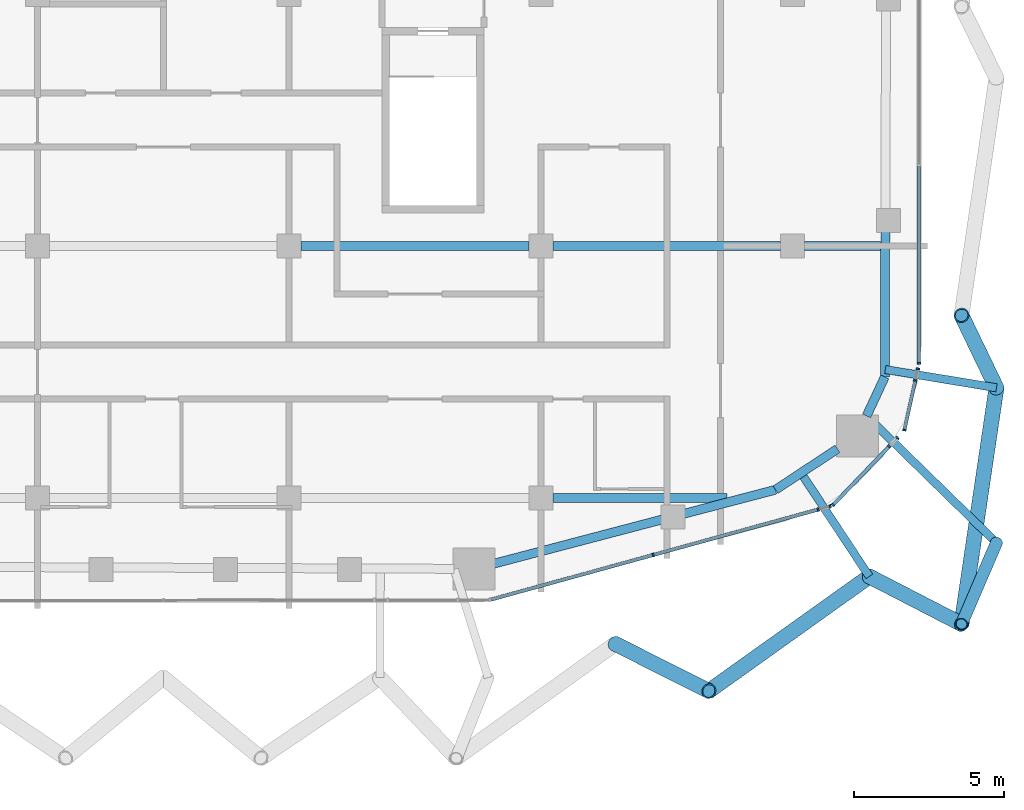
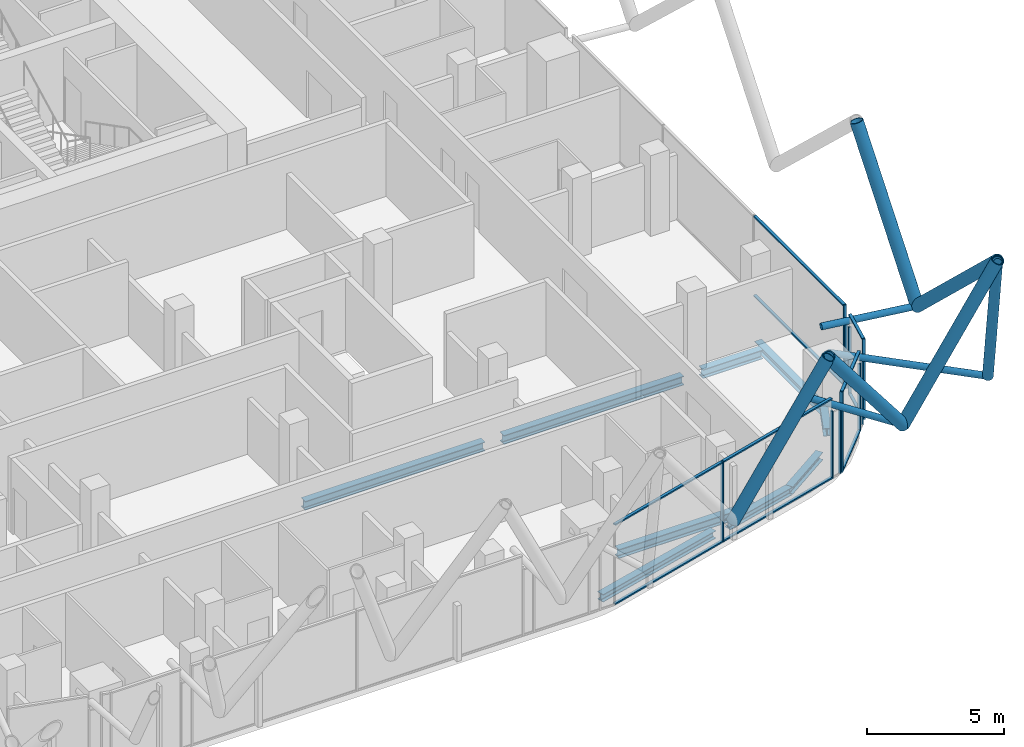
# One storey, part 6 of 33: 29 members, 9 beams, 7 elements without a shape of their own.
"""IFC4 building model written with IfcOpenShell, lengths in metres."""

from ifc_helpers import new_model, si_unit, direction, frame, origin, origin_2d, place, context, subcontext, project, spatial, rectangle, hollow_circle, i_section, extrude, material, layer, layer_set, material_profile, profile_set, type_object, element, aggregate, save


model = new_model("IFC4")

# Units and contexts
model_context = context("Model", 3, precision=1e-05, world=origin(), true_north=direction((0.0, 1.0)))
body_context = subcontext(model_context, "Body", "Model", "MODEL_VIEW")
ifc_project = project(units=[si_unit("LENGTHUNIT", "METRE"), si_unit("AREAUNIT", "SQUARE_METRE"), si_unit("VOLUMEUNIT", "CUBIC_METRE"), si_unit("PLANEANGLEUNIT", "RADIAN"), si_unit("MASSUNIT", "GRAM", prefix="KILO")], contexts=[model_context])

# Site, building, storey
site_placement = place(None, origin())
site = spatial("IfcSite", under=ifc_project, at=site_placement, CompositionType="ELEMENT")
building_placement = place(site_placement, origin())
building = spatial("IfcBuilding", under=site, at=building_placement, Name="Marenta Gate Hotel Tower", CompositionType="ELEMENT")
storey_placement = place(building_placement, frame((0.0, 0.0, 248.89990234375)))
storey = spatial("IfcBuildingStorey", under=building, at=storey_placement, Name="L59", CompositionType="ELEMENT", Elevation=248.89990234375)

# Members
ifc_material_1 = material(Name="Steel S355J2W", Category="steel")
ifc_material_profile_1 = material_profile(ifc_material_1, hollow_circle(Radius=0.203125, WallThickness=0.02490234375, at=origin_2d()), Name="CHS 406.4x25")
ifc_profile_set_1 = profile_set([ifc_material_profile_1], Name="Steel S355J2W")
member_type_1 = type_object("IfcMemberType", Name="Diagrid corner post Z3 CHS 406.4x25", PredefinedType="POST", material=ifc_profile_set_1)
member_1_placement = place(storey_placement, frame((27.800048828125, -26.7001953125, 3.14013671875), z_axis=(-0.149723164747, -0.348454624409, 0.925290413149), x_axis=(0.91877663219, -0.394777785775, 0.0)))
element("IfcMember", 1, at=member_1_placement, inside=storey, type_object=member_type_1, Name="L59-DR-2", PredefinedType="POST", context=body_context, shape_type="SweptSolid", body=[
    extrude(hollow_circle(Radius=0.203125, WallThickness=0.02490234375, at=origin_2d()), origin(), (0.0, 0.0, 1.0), 7.78125),
])
ifc_material_2 = material(Name="Steel S355J2W", Category="steel")
ifc_material_profile_2 = material_profile(ifc_material_2, hollow_circle(Radius=0.25390625, WallThickness=0.0400390625, at=origin_2d()), Name="CHS 508x40")
ifc_profile_set_2 = profile_set([ifc_material_profile_2], Name="Steel S355J2W")
member_type_2 = type_object("IfcMemberType", Name="Diagrid diagonal T3 CHS 508x40", PredefinedType="BRACE", material=ifc_profile_set_2)
member_2_placement = place(storey_placement, frame((27.800048828125, -21.530029296875, 3.14013671875), z_axis=(-0.151621202874, 0.314648946366, 0.937020304684), x_axis=(-0.900863347465, -0.434102786439, 0.0)))
element("IfcMember", 2, at=member_2_placement, inside=storey, type_object=member_type_2, Name="L59-DG-9", PredefinedType="BRACE", context=body_context, shape_type="SweptSolid", body=[
    extrude(hollow_circle(Radius=0.25390625, WallThickness=0.0400390625, at=origin_2d()), origin(), (0.0, 0.0, 1.0), 7.683837890625),
])
member_3_placement = place(storey_placement, frame((27.800048828125, -21.530029296875, 3.14013671875), z_axis=(-0.108491449079, -0.733954201721, 0.670478064707), x_axis=(0.98925079432, -0.146228813632, 0.0)))
element("IfcMember", 3, at=member_3_placement, inside=storey, type_object=member_type_2, Name="L59-DG-10", PredefinedType="BRACE", context=body_context, shape_type="SweptSolid", body=[
    extrude(hollow_circle(Radius=0.25390625, WallThickness=0.0400390625, at=origin_2d()), origin(), (0.0, 0.0, 1.0), 10.738525390625),
])
member_4_placement = place(storey_placement, frame((23.559814453125, -27.8251953125, 3.14013671875), z_axis=(0.384962623829, -0.198593770216, 0.901312538849), x_axis=(0.458466783996, 0.888711543738, 0.0)))
element("IfcMember", 4, at=member_4_placement, inside=storey, type_object=member_type_2, Name="L59-DG-11", PredefinedType="BRACE", context=body_context, shape_type="SweptSolid", body=[
    extrude(hollow_circle(Radius=0.25390625, WallThickness=0.0400390625, at=origin_2d()), origin(), (0.0, 0.0, 1.0), 7.98828125),
])
member_5_placement = place(storey_placement, frame((23.559814453125, -27.8251953125, 3.14013671875), z_axis=(-0.549050131293, -0.391956964026, 0.738182695326), x_axis=(0.581020559609, -0.813888880199, 0.0)))
element("IfcMember", 5, at=member_5_placement, inside=storey, type_object=member_type_2, Name="L59-DG-12", PredefinedType="BRACE", context=body_context, shape_type="SweptSolid", body=[
    extrude(hollow_circle(Radius=0.25390625, WallThickness=0.0400390625, at=origin_2d()), origin(), (0.0, 0.0, 1.0), 9.753662109375),
])
member_6_placement = place(storey_placement, frame((15.079345703125, -30.074951171875, 3.14013671875), z_axis=(0.390406899017, -0.196530119308, 0.899421127951), x_axis=(0.44964017183, 0.893209782681, 0.0)))
element("IfcMember", 6, at=member_6_placement, inside=storey, type_object=member_type_2, Name="L59-DG-13", PredefinedType="BRACE", context=body_context, shape_type="SweptSolid", body=[
    extrude(hollow_circle(Radius=0.25390625, WallThickness=0.0400390625, at=origin_2d()), origin(), (0.0, 0.0, 1.0), 8.005126953125),
])

# Beams
ifc_material_3 = material(Name="Steel S355", Category="steel")
ifc_material_profile_3 = material_profile(ifc_material_3, i_section(OverallWidth=0.300048828125, OverallDepth=0.340087890625, WebThickness=0.011962890625, FlangeThickness=0.021484375, FilletRadius=0.027099609375, at=origin_2d()), Name="HEB 340")
ifc_profile_set_3 = profile_set([ifc_material_profile_3], Name="Steel S355")
beam_type_1 = type_object("IfcBeamType", Name="Edge beam HEB 340", PredefinedType="SPANDREL", material=ifc_profile_set_3)
beam_1_placement = place(storey_placement, frame((24.09130859375, -16.31201171875, -0.429931640625), z_axis=(-0.003318732666, -0.999994492992, 0.0), x_axis=(0.999994492992, -0.003318732666, 0.0)))
element("IfcBeam", 7, at=beam_1_placement, inside=storey, type_object=beam_type_1, Name="L59-EB-27", PredefinedType="SPANDREL", context=body_context, shape_type="SweptSolid", body=[
    extrude(i_section(OverallWidth=0.300048828125, OverallDepth=0.340087890625, WebThickness=0.011962890625, FlangeThickness=0.021484375, FilletRadius=0.027099609375, at=origin_2d()), origin(), (0.0, 0.0, 1.0), 4.855224609375),
])
beam_2_placement = place(storey_placement, frame((24.0751953125, -21.167236328125, -0.429931640625), z_axis=(-0.423341112024, -0.905970365338, 0.0), x_axis=(0.905970365338, -0.423341112024, 0.0)))
element("IfcBeam", 8, at=beam_2_placement, inside=storey, type_object=beam_type_1, Name="L59-EB-28", PredefinedType="SPANDREL", context=body_context, shape_type="SweptSolid", body=[
    extrude(i_section(OverallWidth=0.300048828125, OverallDepth=0.340087890625, WebThickness=0.011962890625, FlangeThickness=0.021484375, FilletRadius=0.027099609375, at=origin_2d()), origin(), (0.0, 0.0, 1.0), 1.437255859375),
])
beam_3_placement = place(storey_placement, frame((22.496337890625, -23.56640625, -0.429931640625), z_axis=(-0.834528740585, -0.550964410047, 0.0), x_axis=(0.550964410047, -0.834528740585, 0.0)))
element("IfcBeam", 9, at=beam_3_placement, inside=storey, type_object=beam_type_1, Name="L59-EB-29", PredefinedType="SPANDREL", context=body_context, shape_type="SweptSolid", body=[
    extrude(i_section(OverallWidth=0.300048828125, OverallDepth=0.340087890625, WebThickness=0.011962890625, FlangeThickness=0.021484375, FilletRadius=0.027099609375, at=origin_2d()), origin(), (0.0, 0.0, 1.0), 2.47705078125),
])
beam_4_placement = place(storey_placement, frame((20.42919921875, -24.93115234375, -0.429931640625), z_axis=(-0.967235227858, -0.253881889845, 0.0), x_axis=(0.253881889845, -0.967235227858, 0.0)))
element("IfcBeam", 10, at=beam_4_placement, inside=storey, type_object=beam_type_1, Name="L59-EB-30", PredefinedType="SPANDREL", context=body_context, shape_type="SweptSolid", body=[
    extrude(i_section(OverallWidth=0.300048828125, OverallDepth=0.340087890625, WebThickness=0.011962890625, FlangeThickness=0.021484375, FilletRadius=0.027099609375, at=origin_2d()), origin(), (0.0, 0.0, 1.0), 3.164794921875),
])
beam_5_placement = place(storey_placement, frame((16.6455078125, -25.92431640625, -0.429931640625), z_axis=(-0.96723496524, -0.253882890359, 0.0), x_axis=(0.253882890359, -0.96723496524, 0.0)))
element("IfcBeam", 11, at=beam_5_placement, inside=storey, type_object=beam_type_1, Name="L59-EB-31", PredefinedType="SPANDREL", context=body_context, shape_type="SweptSolid", body=[
    extrude(i_section(OverallWidth=0.300048828125, OverallDepth=0.340087890625, WebThickness=0.011962890625, FlangeThickness=0.021484375, FilletRadius=0.027099609375, at=origin_2d()), origin(), (0.0, 0.0, 1.0), 5.80810546875),
])

# Members
ifc_material_4 = material(Name="Steel S355J2W", Category="steel")
ifc_material_profile_4 = material_profile(ifc_material_4, hollow_circle(Radius=0.136474609375, WallThickness=0.012451171875, at=origin_2d()), Name="CHS 273x12.5")
ifc_profile_set_4 = profile_set([ifc_material_profile_4], Name="Steel S355J2W")
member_type_3 = type_object("IfcMemberType", Name="Floor tie CHS 273x12.5", PredefinedType="STRUT", material=ifc_profile_set_4)
member_7_placement = place(storey_placement, frame((27.800048828125, -21.530029296875, 3.14013671875), z_axis=(-0.986728891627, 0.162376397385, 0.0), x_axis=(-0.162376397385, -0.986728891627, 0.0)))
element("IfcMember", 12, at=member_7_placement, inside=storey, type_object=member_type_3, Name="L59-DR-10", PredefinedType="STRUT", context=body_context, shape_type="SweptSolid", body=[
    extrude(hollow_circle(Radius=0.136474609375, WallThickness=0.012451171875, at=origin_2d()), origin(), (0.0, 0.0, 1.0), 3.7587890625),
])
member_8_placement = place(storey_placement, frame((27.800048828125, -26.7001953125, 3.14013671875), z_axis=(-0.715503492863, 0.698609155179, 0.0), x_axis=(-0.698609155179, -0.715503492863, 0.0)))
element("IfcMember", 13, at=member_8_placement, inside=storey, type_object=member_type_3, Name="L59-DR-11", PredefinedType="STRUT", context=body_context, shape_type="SweptSolid", body=[
    extrude(hollow_circle(Radius=0.136474609375, WallThickness=0.012451171875, at=origin_2d()), origin(), (0.0, 0.0, 1.0), 6.04052734375),
])
member_9_placement = place(storey_placement, frame((23.559814453125, -27.8251953125, 3.14013671875), z_axis=(-0.550965885132, 0.834527766716, 0.0), x_axis=(-0.834527766716, -0.550965885132, 0.0)))
element("IfcMember", 14, at=member_9_placement, inside=storey, type_object=member_type_3, Name="L59-DR-12", PredefinedType="STRUT", context=body_context, shape_type="SweptSolid", body=[
    extrude(hollow_circle(Radius=0.136474609375, WallThickness=0.012451171875, at=origin_2d()), origin(), (0.0, 0.0, 1.0), 4.125),
])

# Beams
ifc_material_5 = material(Name="Steel S355", Category="steel")
ifc_material_profile_5 = material_profile(ifc_material_5, i_section(OverallWidth=0.300048828125, OverallDepth=0.39990234375, WebThickness=0.013427734375, FlangeThickness=0.02392578125, FilletRadius=0.027099609375, at=origin_2d()), Name="HEB 400")
ifc_profile_set_5 = profile_set([ifc_material_profile_5], Name="Steel S355")
beam_type_2 = type_object("IfcBeamType", Name="Girder HEB 400", PredefinedType="BEAM", material=ifc_profile_set_5)
beam_6_placement = place(storey_placement, frame((13.0, -25.199951171875, -0.4599609375), z_axis=(1.0, 0.0, 0.0), x_axis=(0.0, 1.0, 0.0)))
element("IfcBeam", 15, at=beam_6_placement, inside=storey, type_object=beam_type_2, Name="L59-GD-5", PredefinedType="BEAM", context=body_context, shape_type="SweptSolid", body=[
    extrude(i_section(OverallWidth=0.300048828125, OverallDepth=0.39990234375, WebThickness=0.013427734375, FlangeThickness=0.02392578125, FilletRadius=0.027099609375, at=origin_2d()), origin(), (0.0, 0.0, 1.0), 5.81396484375),
])
beam_7_placement = place(storey_placement, frame((4.60009765625, -16.800048828125, -0.4599609375), z_axis=(1.0, 0.0, 0.0), x_axis=(0.0, 1.0, 0.0)))
element("IfcBeam", 16, at=beam_7_placement, inside=storey, type_object=beam_type_2, Name="L59-GD-10", PredefinedType="BEAM", context=body_context, shape_type="SweptSolid", body=[
    extrude(i_section(OverallWidth=0.300048828125, OverallDepth=0.39990234375, WebThickness=0.013427734375, FlangeThickness=0.02392578125, FilletRadius=0.027099609375, at=origin_2d()), origin(), (0.0, 0.0, 1.0), 7.599853515625),
])
beam_8_placement = place(storey_placement, frame((13.0, -16.800048828125, -0.4599609375), z_axis=(1.0, 0.0, 0.0), x_axis=(0.0, 1.0, 0.0)))
element("IfcBeam", 17, at=beam_8_placement, inside=storey, type_object=beam_type_2, Name="L59-GD-11", PredefinedType="BEAM", context=body_context, shape_type="SweptSolid", body=[
    extrude(i_section(OverallWidth=0.300048828125, OverallDepth=0.39990234375, WebThickness=0.013427734375, FlangeThickness=0.02392578125, FilletRadius=0.027099609375, at=origin_2d()), origin(), (0.0, 0.0, 1.0), 7.60009765625),
])
beam_9_placement = place(storey_placement, frame((21.39990234375, -16.800048828125, -0.4599609375), z_axis=(1.0, 0.0, 0.0), x_axis=(0.0, 1.0, 0.0)))
element("IfcBeam", 18, at=beam_9_placement, inside=storey, type_object=beam_type_2, Name="L59-GD-12", PredefinedType="BEAM", context=body_context, shape_type="SweptSolid", body=[
    extrude(i_section(OverallWidth=0.300048828125, OverallDepth=0.39990234375, WebThickness=0.013427734375, FlangeThickness=0.02392578125, FilletRadius=0.027099609375, at=origin_2d()), origin(), (0.0, 0.0, 1.0), 2.539794921875),
])

# Curtain wall, member
ifc_material_6 = material(Name="Tinted insulated glass in bronze anodised frame", Category="glass")
ifc_layer = layer(ifc_material_6, 0.1201171875)
ifc_layer_set = layer_set([ifc_layer], Name="Tinted insulated glass in bronze anodised frame")
curtain_wall_type = type_object("IfcCurtainWallType", Name="Tower unitised curtain wall CW1", PredefinedType="NOTDEFINED", material=ifc_layer_set)
curtain_wall_1_placement = place(storey_placement, origin())
curtain_wall_1 = element("IfcCurtainWall", 19, at=curtain_wall_1_placement, inside=storey, type_object=curtain_wall_type, Name="CW1 run G26", PredefinedType="NOTDEFINED")
ifc_material_7 = material(Name="Bronze anodised aluminium", Category="aluminium")
ifc_material_profile_6 = material_profile(ifc_material_7, rectangle(XDim=0.1201171875, YDim=0.06005859375, at=origin_2d()), Name="Mullion CW1 60x120 bronze anodised aluminium")
ifc_profile_set_6 = profile_set([ifc_material_profile_6], Name="Bronze anodised aluminium")
member_type_4 = type_object("IfcMemberType", Name="Mullion CW1 60x120 bronze anodised aluminium", PredefinedType="MULLION", material=ifc_profile_set_6)
member_10_placement = place(storey_placement, frame((16.3466796875, -27.106689453125, 0.0), z_axis=(0.0, 0.0, 1.0), x_axis=(-0.265291600671, 0.964168225266, 0.0)))
member_10 = element("IfcMember", 20, at=member_10_placement, type_object=member_type_4, Name="CW1 mullion 2", PredefinedType="MULLION", context=body_context, shape_type="SweptSolid", body=[
    extrude(rectangle(XDim=0.1201171875, YDim=0.06005859375, at=origin_2d()), origin(), (0.0, 0.0, 1.0), 3.60009765625),
])

# Curtain wall, members
curtain_wall_2_placement = place(storey_placement, origin())
curtain_wall_2 = element("IfcCurtainWall", 21, at=curtain_wall_2_placement, inside=storey, type_object=curtain_wall_type, Name="CW1 run G27", PredefinedType="NOTDEFINED")
member_11_placement = place(storey_placement, frame((21.8486328125, -25.5927734375, 0.0), z_axis=(0.0, 0.0, 1.0), x_axis=(-0.265283308776, 0.964170506749, 0.0)))
member_11 = element("IfcMember", 22, at=member_11_placement, type_object=member_type_4, Name="CW1 mullion 1", PredefinedType="MULLION", context=body_context, shape_type="SweptSolid", body=[
    extrude(rectangle(XDim=0.1201171875, YDim=0.06005859375, at=origin_2d()), origin(), (0.0, 0.0, 1.0), 3.00048828125),
])
member_12_placement = place(storey_placement, frame((22.250244140625, -25.482177734375, 0.0), z_axis=(0.0, 0.0, 1.0), x_axis=(-0.265283308776, 0.964170506749, 0.0)))
member_12 = element("IfcMember", 23, at=member_12_placement, type_object=member_type_4, Name="CW1 mullion 2", PredefinedType="MULLION", context=body_context, shape_type="SweptSolid", body=[
    extrude(rectangle(XDim=0.1201171875, YDim=0.06005859375, at=origin_2d()), origin(), (0.0, 0.0, 1.0), 3.00048828125),
])
aggregate(curtain_wall_2, [member_11, member_12])

# Curtain wall, member
curtain_wall_3_placement = place(storey_placement, origin())
curtain_wall_3 = element("IfcCurtainWall", 24, at=curtain_wall_3_placement, inside=storey, type_object=curtain_wall_type, Name="CW1 run G28", PredefinedType="NOTDEFINED")
member_13_placement = place(storey_placement, frame((22.345458984375, -25.43994140625, 0.0), z_axis=(0.0, 0.0, 1.0), x_axis=(-0.721374796599, 0.692544874237, 0.0)))
member_13 = element("IfcMember", 25, at=member_13_placement, type_object=member_type_4, Name="CW1 mullion 1", PredefinedType="MULLION", context=body_context, shape_type="SweptSolid", body=[
    extrude(rectangle(XDim=0.1201171875, YDim=0.06005859375, at=origin_2d()), origin(), (0.0, 0.0, 1.0), 3.60009765625),
])

# Curtain wall, members
curtain_wall_4_placement = place(storey_placement, origin())
curtain_wall_4 = element("IfcCurtainWall", 26, at=curtain_wall_4_placement, inside=storey, type_object=curtain_wall_type, Name="CW1 run G29", PredefinedType="NOTDEFINED")
member_14_placement = place(storey_placement, frame((24.22412109375, -23.4833984375, 0.0), z_axis=(0.0, 0.0, 1.0), x_axis=(-0.721307923804, 0.692614524145, 0.0)))
member_14 = element("IfcMember", 27, at=member_14_placement, type_object=member_type_4, Name="CW1 mullion 1", PredefinedType="MULLION", context=body_context, shape_type="SweptSolid", body=[
    extrude(rectangle(XDim=0.1201171875, YDim=0.06005859375, at=origin_2d()), origin(), (0.0, 0.0, 1.0), 3.00048828125),
])
member_15_placement = place(storey_placement, frame((24.496337890625, -23.199951171875, 0.0), z_axis=(0.0, 0.0, 1.0), x_axis=(-0.721307923804, 0.692614524145, 0.0)))
member_15 = element("IfcMember", 28, at=member_15_placement, type_object=member_type_4, Name="CW1 mullion 2", PredefinedType="MULLION", context=body_context, shape_type="SweptSolid", body=[
    extrude(rectangle(XDim=0.1201171875, YDim=0.06005859375, at=origin_2d()), origin(), (0.0, 0.0, 1.0), 3.00048828125),
])
aggregate(curtain_wall_4, [member_14, member_15])

# Curtain wall, member
curtain_wall_5_placement = place(storey_placement, origin())
curtain_wall_5 = element("IfcCurtainWall", 29, at=curtain_wall_5_placement, inside=storey, type_object=curtain_wall_type, Name="CW1 run G30", PredefinedType="NOTDEFINED")
member_16_placement = place(storey_placement, frame((24.726806640625, -22.937255859375, 0.0), z_axis=(0.0, 0.0, 1.0), x_axis=(-0.976199562318, 0.216874190557, 0.0)))
member_16 = element("IfcMember", 30, at=member_16_placement, type_object=member_type_4, Name="CW1 mullion 1", PredefinedType="MULLION", context=body_context, shape_type="SweptSolid", body=[
    extrude(rectangle(XDim=0.1201171875, YDim=0.06005859375, at=origin_2d()), origin(), (0.0, 0.0, 1.0), 3.60009765625),
])

# Curtain wall, members
curtain_wall_6_placement = place(storey_placement, origin())
curtain_wall_6 = element("IfcCurtainWall", 31, at=curtain_wall_6_placement, inside=storey, type_object=curtain_wall_type, Name="CW1 run G31", PredefinedType="NOTDEFINED")
member_17_placement = place(storey_placement, frame((25.093994140625, -21.283935546875, 0.0), z_axis=(0.0, 0.0, 1.0), x_axis=(-0.976244076535, 0.216673724826, 0.0)))
member_17 = element("IfcMember", 32, at=member_17_placement, type_object=member_type_4, Name="CW1 mullion 1", PredefinedType="MULLION", context=body_context, shape_type="SweptSolid", body=[
    extrude(rectangle(XDim=0.1201171875, YDim=0.06005859375, at=origin_2d()), origin(), (0.0, 0.0, 1.0), 3.00048828125),
])
member_18_placement = place(storey_placement, frame((25.179443359375, -20.899658203125, 0.0), z_axis=(0.0, 0.0, 1.0), x_axis=(-0.976244076535, 0.216673724826, 0.0)))
member_18 = element("IfcMember", 33, at=member_18_placement, type_object=member_type_4, Name="CW1 mullion 2", PredefinedType="MULLION", context=body_context, shape_type="SweptSolid", body=[
    extrude(rectangle(XDim=0.1201171875, YDim=0.06005859375, at=origin_2d()), origin(), (0.0, 0.0, 1.0), 3.00048828125),
])
aggregate(curtain_wall_6, [member_17, member_18])

# Curtain wall, member
curtain_wall_7_placement = place(storey_placement, origin())
curtain_wall_7 = element("IfcCurtainWall", 34, at=curtain_wall_7_placement, inside=storey, type_object=curtain_wall_type, Name="CW1 run G32", PredefinedType="NOTDEFINED")
member_19_placement = place(storey_placement, frame((25.214111328125, -20.7138671875, 0.0), z_axis=(0.0, 0.0, 1.0), x_axis=(-1.0, 0.0, 0.0)))
member_19 = element("IfcMember", 35, at=member_19_placement, type_object=member_type_4, Name="CW1 mullion 1", PredefinedType="MULLION", context=body_context, shape_type="SweptSolid", body=[
    extrude(rectangle(XDim=0.1201171875, YDim=0.06005859375, at=origin_2d()), origin(), (0.0, 0.0, 1.0), 3.60009765625),
])

# Member
ifc_material_8 = material(Name="Bronze anodised aluminium", Category="aluminium")
ifc_material_profile_7 = material_profile(ifc_material_8, rectangle(XDim=0.1201171875, YDim=0.06005859375, at=origin_2d()), Name="Transom CW1 60x120 bronze anodised aluminium")
ifc_profile_set_7 = profile_set([ifc_material_profile_7], Name="Bronze anodised aluminium")
member_type_5 = type_object("IfcMemberType", Name="Transom CW1 60x120 bronze anodised aluminium", PredefinedType="USERDEFINED", material=ifc_profile_set_7)
member_20_placement = place(storey_placement, frame((10.931640625, -28.5966796875, 0.030029296875), z_axis=(0.964161245407, 0.265316966769, 0.0), x_axis=(-0.265316966769, 0.964161245407, 0.0)))
member_20 = element("IfcMember", 36, at=member_20_placement, type_object=member_type_5, Name="CW1 transom 1.1", ObjectType="TRANSOM", PredefinedType="USERDEFINED", context=body_context, shape_type="SweptSolid", body=[
    extrude(rectangle(XDim=0.1201171875, YDim=0.06005859375, at=origin_2d()), origin(), (0.0, 0.0, 1.0), 5.58642578125),
])

member_21_placement = place(storey_placement, frame((10.931640625, -28.5966796875, 3.570068359375), z_axis=(0.964161245407, 0.265316966769, 0.0), x_axis=(-0.265316966769, 0.964161245407, 0.0)))
member_21 = element("IfcMember", 37, at=member_21_placement, type_object=member_type_5, Name="CW1 transom 1.2", ObjectType="TRANSOM", PredefinedType="USERDEFINED", context=body_context, shape_type="SweptSolid", body=[
    extrude(rectangle(XDim=0.1201171875, YDim=0.06005859375, at=origin_2d()), origin(), (0.0, 0.0, 1.0), 5.58642578125),
])

member_22_placement = place(storey_placement, frame((16.375732421875, -27.0986328125, 0.030029296875), z_axis=(0.964160606666, 0.265319287941, 0.0), x_axis=(-0.265319287941, 0.964160606666, 0.0)))
member_22 = element("IfcMember", 38, at=member_22_placement, type_object=member_type_5, Name="CW1 transom 2.1", ObjectType="TRANSOM", PredefinedType="USERDEFINED", context=body_context, shape_type="SweptSolid", body=[
    extrude(rectangle(XDim=0.1201171875, YDim=0.06005859375, at=origin_2d()), origin(), (0.0, 0.0, 1.0), 5.646240234375),
])

member_23_placement = place(storey_placement, frame((16.375732421875, -27.0986328125, 3.570068359375), z_axis=(0.964160606666, 0.265319287941, 0.0), x_axis=(-0.265319287941, 0.964160606666, 0.0)))
member_23 = element("IfcMember", 39, at=member_23_placement, type_object=member_type_5, Name="CW1 transom 2.2", ObjectType="TRANSOM", PredefinedType="USERDEFINED", context=body_context, shape_type="SweptSolid", body=[
    extrude(rectangle(XDim=0.1201171875, YDim=0.06005859375, at=origin_2d()), origin(), (0.0, 0.0, 1.0), 5.646240234375),
])

aggregate(curtain_wall_1, [member_10, member_20, member_21, member_22, member_23])

member_24_placement = place(storey_placement, frame((22.366455078125, -25.41845703125, 0.030029296875), z_axis=(0.692508837001, 0.721409391868, 0.0), x_axis=(-0.721409391868, 0.692508837001, 0.0)))
member_24 = element("IfcMember", 40, at=member_24_placement, type_object=member_type_5, Name="CW1 transom 1.1", ObjectType="TRANSOM", PredefinedType="USERDEFINED", context=body_context, shape_type="SweptSolid", body=[
    extrude(rectangle(XDim=0.1201171875, YDim=0.06005859375, at=origin_2d()), origin(), (0.0, 0.0, 1.0), 2.652587890625),
])

member_25_placement = place(storey_placement, frame((22.366455078125, -25.41845703125, 3.570068359375), z_axis=(0.692508837001, 0.721409391868, 0.0), x_axis=(-0.721409391868, 0.692508837001, 0.0)))
member_25 = element("IfcMember", 41, at=member_25_placement, type_object=member_type_5, Name="CW1 transom 1.2", ObjectType="TRANSOM", PredefinedType="USERDEFINED", context=body_context, shape_type="SweptSolid", body=[
    extrude(rectangle(XDim=0.1201171875, YDim=0.06005859375, at=origin_2d()), origin(), (0.0, 0.0, 1.0), 2.652587890625),
])

aggregate(curtain_wall_3, [member_13, member_24, member_25])

member_26_placement = place(storey_placement, frame((24.7333984375, -22.907958984375, 0.030029296875), z_axis=(0.216851336742, 0.976204639281, 0.0), x_axis=(-0.976204639281, 0.216851336742, 0.0)))
member_26 = element("IfcMember", 42, at=member_26_placement, type_object=member_type_5, Name="CW1 transom 1.1", ObjectType="TRANSOM", PredefinedType="USERDEFINED", context=body_context, shape_type="SweptSolid", body=[
    extrude(rectangle(XDim=0.1201171875, YDim=0.06005859375, at=origin_2d()), origin(), (0.0, 0.0, 1.0), 1.633544921875),
])

member_27_placement = place(storey_placement, frame((24.7333984375, -22.907958984375, 3.570068359375), z_axis=(0.216851336742, 0.976204639281, 0.0), x_axis=(-0.976204639281, 0.216851336742, 0.0)))
member_27 = element("IfcMember", 43, at=member_27_placement, type_object=member_type_5, Name="CW1 transom 1.2", ObjectType="TRANSOM", PredefinedType="USERDEFINED", context=body_context, shape_type="SweptSolid", body=[
    extrude(rectangle(XDim=0.1201171875, YDim=0.06005859375, at=origin_2d()), origin(), (0.0, 0.0, 1.0), 1.633544921875),
])

aggregate(curtain_wall_5, [member_16, member_26, member_27])

member_28_placement = place(storey_placement, frame((25.214111328125, -20.683837890625, 0.030029296875), z_axis=(0.0, 1.0, 0.0), x_axis=(-1.0, 0.0, 0.0)))
member_28 = element("IfcMember", 44, at=member_28_placement, type_object=member_type_5, Name="CW1 transom 1.1", ObjectType="TRANSOM", PredefinedType="USERDEFINED", context=body_context, shape_type="SweptSolid", body=[
    extrude(rectangle(XDim=0.1201171875, YDim=0.06005859375, at=origin_2d()), origin(), (0.0, 0.0, 1.0), 6.55029296875),
])

member_29_placement = place(storey_placement, frame((25.214111328125, -20.683837890625, 3.570068359375), z_axis=(0.0, 1.0, 0.0), x_axis=(-1.0, 0.0, 0.0)))
member_29 = element("IfcMember", 45, at=member_29_placement, type_object=member_type_5, Name="CW1 transom 1.2", ObjectType="TRANSOM", PredefinedType="USERDEFINED", context=body_context, shape_type="SweptSolid", body=[
    extrude(rectangle(XDim=0.1201171875, YDim=0.06005859375, at=origin_2d()), origin(), (0.0, 0.0, 1.0), 6.55029296875),
])

aggregate(curtain_wall_7, [member_19, member_28, member_29])

save(model, "model.ifc")
